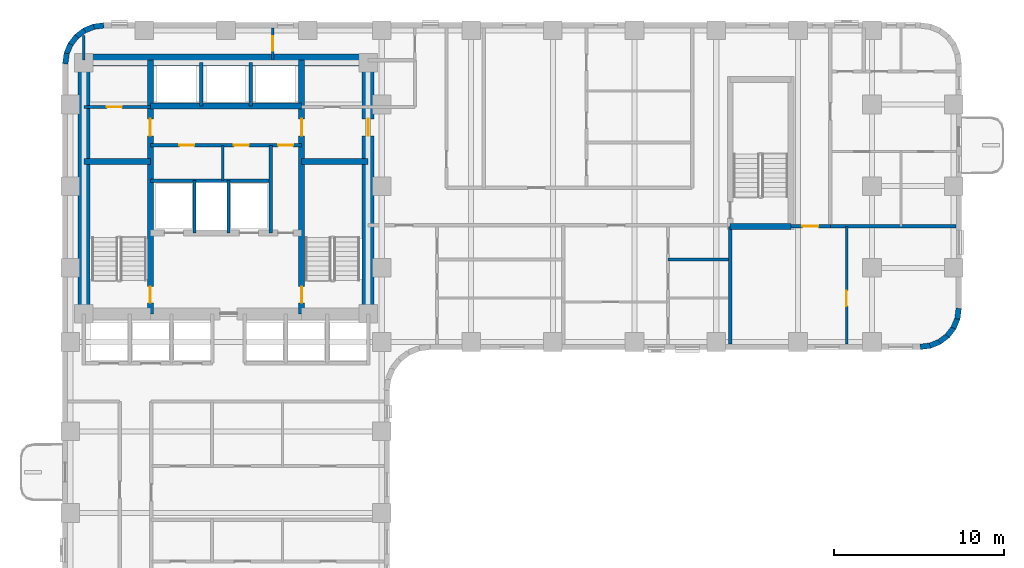
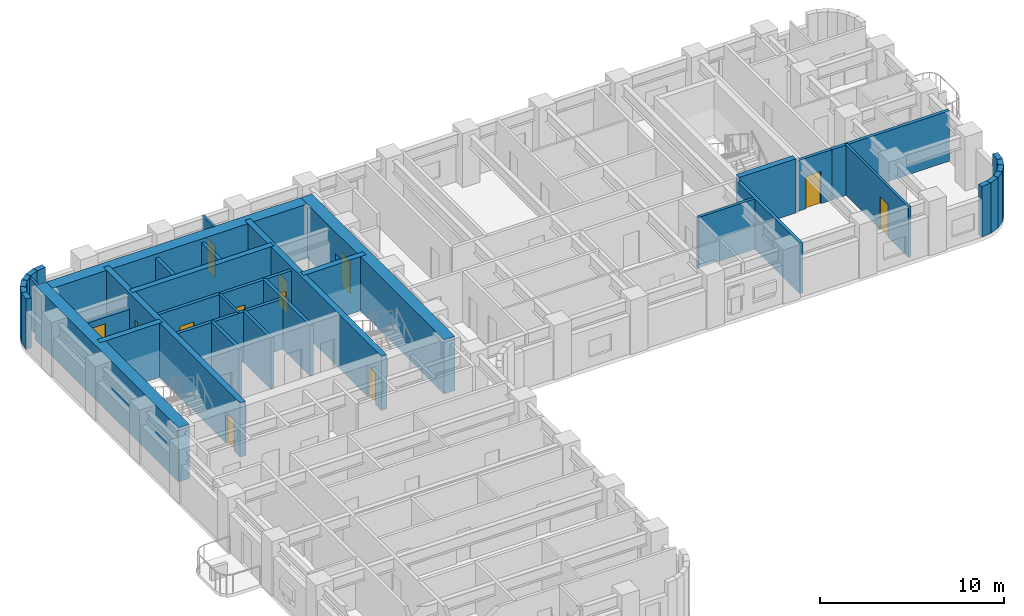
# One storey, part 5 of 10: 37 walls, 12 doors, 12 openings.
"""IFC4 building model written with IfcOpenShell, lengths in metres."""

import ifcopenshell
import ifcopenshell.guid

model = None  # the IFC model being written
_history = None  # IfcOwnerHistory: only IFC2X3 demands one
_inside = {}  # id of a spatial element -> (the spatial element, [elements in it])
_under = {}  # id of a project, library or spatial element -> (it, [spatial elements below it])
_declared = {}  # id of a project -> (the project, [libraries it declares])
_typed = {}  # id of a type object -> (the type object, [elements of that type])
_made_of = {}  # id of a material, layer set ... -> (it, [elements and type objects made of it])


def new_model(schema):
    """Start an empty IFC model of exactly this schema.

    Asked for "IFC4X3", IfcOpenShell would pick the latest addendum, in which some entities
    have other attributes; the version numbers below select the first issue.
    IFC2X3 requires an IfcOwnerHistory on every rooted entity: one is made here for all.
    """
    global model, _history
    if schema == "IFC4X3":
        model = ifcopenshell.file(schema_version=(4, 3, 0, 0))
    else:
        model = ifcopenshell.file(schema=schema)
    _inside.clear()
    _under.clear()
    _declared.clear()
    _typed.clear()
    _made_of.clear()
    _history = None
    if model.schema == "IFC2X3":
        org = make("IfcOrganization", Name="unknown")
        user = make(
            "IfcPersonAndOrganization",
            ThePerson=make("IfcPerson", FamilyName="unknown"),
            TheOrganization=org,
        )
        app = make(
            "IfcApplication",
            ApplicationDeveloper=org,
            Version="unknown",
            ApplicationFullName="unknown",
            ApplicationIdentifier="unknown",
        )
        _history = make(
            "IfcOwnerHistory",
            OwningUser=user,
            OwningApplication=app,
            ChangeAction="ADDED",
            CreationDate=0,
        )
    return model


def make(cls, **values):
    """One entity of the class cls with the attributes given. An attribute that is None is left unset."""
    return model.create_entity(
        cls, **{name: value for name, value in values.items() if value is not None}
    )


def rooted(cls, **values):
    """An entity with a GlobalId (a new one), such as an element, a storey or a relation."""
    return make(cls, GlobalId=ifcopenshell.guid.new(), OwnerHistory=_history, **values)


def si_unit(unit_type, name, prefix=None):
    """IfcSIUnit, for example si_unit("LENGTHUNIT", "METRE", prefix="MILLI")."""
    return make("IfcSIUnit", UnitType=unit_type, Prefix=prefix, Name=name)


def assignment(units):
    """IfcUnitAssignment: the units of a project."""
    return None if units is None else make("IfcUnitAssignment", Units=units)


def point(xyz):
    """IfcCartesianPoint."""
    return None if xyz is None else make("IfcCartesianPoint", Coordinates=xyz)


def direction(xyz):
    """IfcDirection."""
    return None if xyz is None else make("IfcDirection", DirectionRatios=xyz)


def frame(location, z_axis=None, x_axis=None):
    """IfcAxis2Placement3D, a coordinate frame: its origin and axes. An axis left out is left unset."""
    return make(
        "IfcAxis2Placement3D",
        Location=point(location),
        Axis=direction(z_axis),
        RefDirection=direction(x_axis),
    )


def frame_2d(location, x_axis=None):
    """IfcAxis2Placement2D, a coordinate frame in the plane: its origin and x axis."""
    return make(
        "IfcAxis2Placement2D", Location=point(location), RefDirection=direction(x_axis)
    )


def origin():
    """The frame at (0, 0, 0) with its axes left unset."""
    return frame((0.0, 0.0, 0.0))


def place(relative_to, where):
    """IfcLocalPlacement: puts the frame where relative to a parent placement (None: the world)."""
    return make(
        "IfcLocalPlacement", PlacementRelTo=relative_to, RelativePlacement=where
    )


def context(
    kind, dimensions, precision=None, world=None, true_north=None, identifier=None
):
    """IfcGeometricRepresentationContext, for example the 3D "Model" context."""
    return make(
        "IfcGeometricRepresentationContext",
        ContextIdentifier=identifier,
        ContextType=kind,
        CoordinateSpaceDimension=dimensions,
        Precision=precision,
        WorldCoordinateSystem=world,
        TrueNorth=true_north,
    )


def subcontext(parent, identifier, kind, view, scale=None):
    """IfcGeometricRepresentationSubContext, for example "Body" below "Model"."""
    return make(
        "IfcGeometricRepresentationSubContext",
        ContextIdentifier=identifier,
        ContextType=kind,
        ParentContext=parent,
        TargetScale=scale,
        TargetView=view,
    )


def project(units=None, contexts=None):
    """IfcProject with its units and contexts."""
    return rooted(
        "IfcProject",
        Name="project",
        RepresentationContexts=contexts,
        UnitsInContext=assignment(units),
    )


def spatial(cls, under=None, at=None, **own):
    """A site, building, storey or space (cls), placed at a placement, below another one or the project."""
    s = rooted(cls, ObjectPlacement=at, **own)
    if under is not None:
        _under.setdefault(under.id(), (under, []))[1].append(s)
    return s


def profile(cls, at=None, kind="AREA", **sizes):
    """A parametric profile (cls). Its sizes go by their IFC names, for example OverallWidth=200.0."""
    return make(cls, ProfileType=kind, Position=at, **sizes)


def rectangle(**sizes):
    """IfcRectangleProfileDef."""
    return profile("IfcRectangleProfileDef", **sizes)


def extrude(swept, where, along, depth):
    """IfcExtrudedAreaSolid: the profile swept, set in the frame where, extruded along a direction by depth."""
    return make(
        "IfcExtrudedAreaSolid",
        SweptArea=swept,
        Position=where,
        ExtrudedDirection=direction(along),
        Depth=depth,
    )


def shape(context_of_items, identifier, shape_type, items):
    """IfcShapeRepresentation: the items that make up one representation, for example the "Body"."""
    return make(
        "IfcShapeRepresentation",
        ContextOfItems=context_of_items,
        RepresentationIdentifier=identifier,
        RepresentationType=shape_type,
        Items=items,
    )


def material(Name=None, Category=None):
    """IfcMaterial."""
    return make("IfcMaterial", Name=Name, Category=Category)


def layer(
    of_material, thickness, ventilated=None, Name=None, Category=None, Priority=None
):
    """IfcMaterialLayer: one layer of a wall or slab, of a material (None: an air gap)."""
    return make(
        "IfcMaterialLayer",
        Material=of_material,
        LayerThickness=thickness,
        IsVentilated=ventilated,
        Name=Name,
        Category=Category,
        Priority=Priority,
    )


def layer_set(layers, Name=None):
    """IfcMaterialLayerSet."""
    return make("IfcMaterialLayerSet", MaterialLayers=layers, LayerSetName=Name)


def made_of(thing, what):
    """Note that an element or type object is made of a material, layer set ...; save() writes the relation."""
    if what is not None:
        _made_of.setdefault(what.id(), (what, []))[1].append(thing)
    return thing


def type_object(cls, material=None, **own):
    """A type object (cls), such as IfcWallType, which elements share."""
    return made_of(rooted(cls, **own), material)


def element(
    cls,
    number,
    at=None,
    inside=None,
    cuts=None,
    type_object=None,
    material=None,
    context=None,
    identifier="Body",
    shape_type=None,
    held_by="IfcProductDefinitionShape",
    body=None,
    shapes=None,
    **own,
):
    """One element of the class cls, such as IfcWall. Its Tag is "e" and its number.

    at: its placement. inside: the storey or other place that contains it. cuts: it is an
    opening in that element (IfcRelVoidsElement). A single representation is given by context,
    identifier, shape_type and body (its items); several are given by shapes. held_by: the class
    of the entity that holds the representations. save() writes the other relations.
    """
    e = rooted(cls, Tag="e%d" % number, ObjectPlacement=at, **own)
    if body is not None:
        shapes = [shape(context, identifier, shape_type, body)]
    if shapes is not None:
        e.Representation = make(held_by, Representations=shapes)
    if inside is not None:
        _inside.setdefault(inside.id(), (inside, []))[1].append(e)
    if cuts is not None:
        rooted(
            "IfcRelVoidsElement", RelatingBuildingElement=cuts, RelatedOpeningElement=e
        )
    if type_object is not None:
        _typed.setdefault(type_object.id(), (type_object, []))[1].append(e)
    return made_of(e, material)


def fill(opening, filler):
    """IfcRelFillsElement: the door or window that sits in an opening."""
    return rooted(
        "IfcRelFillsElement",
        RelatingOpeningElement=opening,
        RelatedBuildingElement=filler,
    )


def aggregate(whole, parts):
    """IfcRelAggregates: a whole, such as a stair, and the parts it consists of."""
    return rooted("IfcRelAggregates", RelatingObject=whole, RelatedObjects=parts)


def save(model, path):
    """Write the relations noted so far, then the file.

    IfcRelAggregates (storeys below a building ...), IfcRelContainedInSpatialStructure (elements
    in a storey), IfcRelDefinesByType, IfcRelAssociatesMaterial and IfcRelDeclares: one each for
    every whole, place, type object, material and project.
    """
    for whole, parts in _under.values():
        aggregate(whole, parts)
    for where, things in _inside.values():
        rooted(
            "IfcRelContainedInSpatialStructure",
            RelatedElements=things,
            RelatingStructure=where,
        )
    for kind, things in _typed.values():
        rooted("IfcRelDefinesByType", RelatedObjects=things, RelatingType=kind)
    for what, things in _made_of.values():
        rooted("IfcRelAssociatesMaterial", RelatedObjects=things, RelatingMaterial=what)
    for by, libraries in _declared.values():
        rooted("IfcRelDeclares", RelatingContext=by, RelatedDefinitions=libraries)
    model.write(path)


model = new_model("IFC4")

# Units and contexts
model_context = context("Model", 3, precision=1e-05, world=origin(), true_north=direction((0.0, 1.0)))
body_context = subcontext(model_context, "Body", "Model", "MODEL_VIEW")
ifc_project = project(units=[si_unit("LENGTHUNIT", "METRE"), si_unit("AREAUNIT", "SQUARE_METRE"), si_unit("VOLUMEUNIT", "CUBIC_METRE"), si_unit("PLANEANGLEUNIT", "RADIAN"), si_unit("MASSUNIT", "GRAM", prefix="KILO")], contexts=[model_context])

# Site, building, storey
site_placement = place(None, origin())
site = spatial("IfcSite", under=ifc_project, at=site_placement, CompositionType="ELEMENT")
building_placement = place(site_placement, origin())
building = spatial("IfcBuilding", under=site, at=building_placement, Name="Orvandelia Arch Residences", CompositionType="ELEMENT")
storey_placement = place(building_placement, frame((0.0, 0.0, 68.199951171875)))
storey = spatial("IfcBuildingStorey", under=building, at=storey_placement, Name="L17", CompositionType="ELEMENT", Elevation=68.199951171875)

# Wall, openings, doors
ifc_material_1 = material(Name="Concrete C50/60", Category="concrete")
ifc_layer_1 = layer(ifc_material_1, 0.35009765625, Name="Concrete C50/60", Category="concrete")
ifc_layer_set_1 = layer_set([ifc_layer_1], Name="Concrete C50/60")
wall_type_1 = type_object("IfcWallType", Name="WL-CORE-350", PredefinedType="SHEAR", material=ifc_layer_set_1)
wall_1_placement = place(storey_placement, frame((9.9599609375, 30.89990234375, 0.0), z_axis=(0.0, 0.0, 1.0), x_axis=(0.0, 1.0, 0.0)))
wall_1 = element("IfcWall", 1, at=wall_1_placement, inside=storey, type_object=wall_type_1, Name="Core Shear Wall L17-WEB1", PredefinedType="SHEAR", context=body_context, shape_type="SweptSolid", body=[
    extrude(rectangle(XDim=14.900146484375, YDim=0.35009765625, at=frame_2d((7.4501953125, 0.0))), origin(), (0.0, 0.0, 1.0), 3.60009765625),
])
opening_1_placement = place(wall_1_placement, frame((0.64990234375, 0.0, 0.0)))
opening_1 = element("IfcOpeningElement", 2, at=opening_1_placement, cuts=wall_1, Name="Opening D7", PredefinedType="OPENING", context=body_context, shape_type="SweptSolid", body=[
    extrude(rectangle(XDim=0.949951171875, YDim=2.10009765625, at=frame_2d((0.47509765625, 1.050048828125))), frame((0.0, 0.18505859375, 0.0), z_axis=(0.0, -1.0, 0.0), x_axis=(1.0, 0.0, 0.0)), (0.0, 0.0, 1.0), 0.3701171875),
])
opening_2_placement = place(wall_1_placement, frame((10.449951171875, 0.0, 0.0)))
opening_2 = element("IfcOpeningElement", 3, at=opening_2_placement, cuts=wall_1, Name="Opening D6", PredefinedType="OPENING", context=body_context, shape_type="SweptSolid", body=[
    extrude(rectangle(XDim=1.0, YDim=2.14990234375, at=frame_2d((0.5, 1.074951171875))), frame((0.0, 0.18505859375, 0.0), z_axis=(0.0, -1.0, 0.0), x_axis=(1.0, 0.0, 0.0)), (0.0, 0.0, 1.0), 0.3701171875),
])
ifc_material_2 = material(Name="Smokeproof Painted Steel Fire Door", Category="steel")
door_type_1 = type_object("IfcDoorType", Name="DR-FD60-1000", OperationType="NOTDEFINED", PredefinedType="DOOR", material=ifc_material_2)
door_1_placement = place(opening_2_placement, origin())
door_1 = element("IfcDoor", 4, at=door_1_placement, inside=storey, type_object=door_type_1, Name="High-Rise Lift Hall West Vestibule Door L17", OperationType="SINGLE_SWING_LEFT", OverallHeight=2.14990234375, OverallWidth=1.0, PredefinedType="DOOR", context=body_context, shape_type="SweptSolid", body=[
    extrude(rectangle(XDim=1.0, YDim=2.14990234375, at=frame_2d((0.5, 1.074951171875))), frame((0.0, 0.02490234375, 0.0), z_axis=(0.0, -1.0, 0.0), x_axis=(1.0, 0.0, 0.0)), (0.0, 0.0, 1.0), 0.050048828125),
])
fill(opening_2, door_1)
ifc_material_3 = material(Name="Pressurised Stairwell Fire Door")
door_type_2 = type_object("IfcDoorType", Name="DR-STAIR-950", OperationType="NOTDEFINED", PredefinedType="DOOR", material=ifc_material_3)
door_2_placement = place(opening_1_placement, origin())
door_2 = element("IfcDoor", 5, at=door_2_placement, inside=storey, type_object=door_type_2, Name="Stairwell ST-1 Fire Door L17", OperationType="SINGLE_SWING_LEFT", OverallHeight=2.10009765625, OverallWidth=0.949951171875, PredefinedType="DOOR", context=body_context, shape_type="SweptSolid", body=[
    extrude(rectangle(XDim=0.949951171875, YDim=2.10009765625, at=frame_2d((0.47509765625, 1.050048828125))), frame((0.0, 0.02490234375, 0.0), z_axis=(0.0, -1.0, 0.0), x_axis=(1.0, 0.0, 0.0)), (0.0, 0.0, 1.0), 0.050048828125),
])
fill(opening_1, door_2)

wall_2_placement = place(storey_placement, frame((18.840087890625, 30.89990234375, 0.0), z_axis=(0.0, 0.0, 1.0), x_axis=(0.0, 1.0, 0.0)))
wall_2 = element("IfcWall", 6, at=wall_2_placement, inside=storey, type_object=wall_type_1, Name="Core Shear Wall L17-WEB2", PredefinedType="SHEAR", context=body_context, shape_type="SweptSolid", body=[
    extrude(rectangle(XDim=14.900146484375, YDim=0.35009765625, at=frame_2d((7.4501953125, 0.0))), origin(), (0.0, 0.0, 1.0), 3.60009765625),
])
opening_3_placement = place(wall_2_placement, frame((0.64990234375, 0.0, 0.0)))
opening_3 = element("IfcOpeningElement", 7, at=opening_3_placement, cuts=wall_2, Name="Opening D7", PredefinedType="OPENING", context=body_context, shape_type="SweptSolid", body=[
    extrude(rectangle(XDim=0.949951171875, YDim=2.10009765625, at=frame_2d((0.47509765625, 1.050048828125))), frame((0.0, 0.18505859375, 0.0), z_axis=(0.0, -1.0, 0.0), x_axis=(1.0, 0.0, 0.0)), (0.0, 0.0, 1.0), 0.3701171875),
])
opening_4_placement = place(wall_2_placement, frame((10.449951171875, 0.0, 0.0)))
opening_4 = element("IfcOpeningElement", 8, at=opening_4_placement, cuts=wall_2, Name="Opening D6", PredefinedType="OPENING", context=body_context, shape_type="SweptSolid", body=[
    extrude(rectangle(XDim=1.0, YDim=2.14990234375, at=frame_2d((0.5, 1.074951171875))), frame((0.0, 0.18505859375, 0.0), z_axis=(0.0, -1.0, 0.0), x_axis=(1.0, 0.0, 0.0)), (0.0, 0.0, 1.0), 0.3701171875),
])
door_3_placement = place(opening_4_placement, origin())
door_3 = element("IfcDoor", 9, at=door_3_placement, inside=storey, type_object=door_type_1, Name="High-Rise Lift Hall East Vestibule Door L17", OperationType="SINGLE_SWING_RIGHT", OverallHeight=2.14990234375, OverallWidth=1.0, PredefinedType="DOOR", context=body_context, shape_type="SweptSolid", body=[
    extrude(rectangle(XDim=1.0, YDim=2.14990234375, at=frame_2d((0.5, 1.074951171875))), frame((0.0, 0.02490234375, 0.0), z_axis=(0.0, -1.0, 0.0), x_axis=(1.0, 0.0, 0.0)), (0.0, 0.0, 1.0), 0.050048828125),
])
fill(opening_4, door_3)
door_4_placement = place(opening_3_placement, origin())
door_4 = element("IfcDoor", 10, at=door_4_placement, inside=storey, type_object=door_type_2, Name="Stairwell ST-2 Fire Door L17", OperationType="SINGLE_SWING_RIGHT", OverallHeight=2.10009765625, OverallWidth=0.949951171875, PredefinedType="DOOR", context=body_context, shape_type="SweptSolid", body=[
    extrude(rectangle(XDim=0.949951171875, YDim=2.10009765625, at=frame_2d((0.47509765625, 1.050048828125))), frame((0.0, 0.02490234375, 0.0), z_axis=(0.0, -1.0, 0.0), x_axis=(1.0, 0.0, 0.0)), (0.0, 0.0, 1.0), 0.050048828125),
])
fill(opening_3, door_4)

# Walls
for number, where, z_axis, x_axis, name in (
    (11, (6.050048828125, 39.85009765625, 0.0), (0.0, 0.0, 1.0), (1.0, 0.0, 0.0), "Core Shear Wall L17-HZ1"),
    (12, (18.840087890625, 39.85009765625, 0.0), (0.0, 0.0, 1.0), (1.0, 0.0, 0.0), "Core Shear Wall L17-HZ2"),
):
    element("IfcWall", number, at=place(storey_placement, frame(where, z_axis=z_axis, x_axis=x_axis)), inside=storey, type_object=wall_type_1, Name=name, PredefinedType="SHEAR", context=body_context, shape_type="SweptSolid", body=[
        extrude(rectangle(XDim=3.909912109375, YDim=0.35009765625, at=frame_2d((1.955078125, 0.0))), origin(), (0.0, 0.0, 1.0), 3.60009765625),
    ])
wall_3_placement = place(storey_placement, frame((9.9599609375, 43.10009765625, 0.0), z_axis=(0.0, 0.0, 1.0), x_axis=(1.0, 0.0, 0.0)))
element("IfcWall", 13, at=wall_3_placement, inside=storey, type_object=wall_type_1, Name="Core Shear Wall L17-HZ4", PredefinedType="SHEAR", context=body_context, shape_type="SweptSolid", body=[
    extrude(rectangle(XDim=8.880126953125, YDim=0.35009765625, at=frame_2d((4.43994140625, 0.0))), origin(), (0.0, 0.0, 1.0), 3.60009765625),
])
wall_4_placement = place(storey_placement, frame((44.02001953125, 36.0400390625, 0.0), z_axis=(0.0, 0.0, 1.0), x_axis=(1.0, 0.0, 0.0)))
element("IfcWall", 14, at=wall_4_placement, inside=storey, type_object=wall_type_1, Name="East Stair Core Shear Wall L17-S", PredefinedType="SHEAR", context=body_context, shape_type="SweptSolid", body=[
    extrude(rectangle(XDim=3.580078125, YDim=0.35009765625, at=frame_2d((1.7900390625, 0.0))), origin(), (0.0, 0.0, 1.0), 3.60009765625),
])
ifc_material_4 = material(Name="Concrete C80/95", Category="concrete")
ifc_layer_2 = layer(ifc_material_4, 0.699951171875, Name="Concrete C80/95", Category="concrete")
ifc_layer_set_2 = layer_set([ifc_layer_2], Name="Concrete C80/95")
wall_type_2 = type_object("IfcWallType", Name="WL-CORE-700", PredefinedType="SHEAR", material=ifc_layer_set_2)
wall_5_placement = place(storey_placement, frame((6.050048828125, 30.550048828125, 0.0), z_axis=(0.0, 0.0, 1.0), x_axis=(0.0, 1.0, 0.0)))
element("IfcWall", 15, at=wall_5_placement, inside=storey, type_object=wall_type_2, Name="Core Shear Wall L17-W", PredefinedType="SHEAR", context=body_context, shape_type="SweptSolid", body=[
    extrude(rectangle(XDim=15.599853515625, YDim=0.699951171875, at=frame_2d((7.7998046875, 0.0))), origin(), (0.0, 0.0, 1.0), 3.60009765625),
])

# Wall, opening, door
wall_6_placement = place(storey_placement, frame((22.75, 30.550048828125, 0.0), z_axis=(0.0, 0.0, 1.0), x_axis=(0.0, 1.0, 0.0)))
wall_6 = element("IfcWall", 16, at=wall_6_placement, inside=storey, type_object=wall_type_2, Name="Core Shear Wall L17-E", PredefinedType="SHEAR", context=body_context, shape_type="SweptSolid", body=[
    extrude(rectangle(XDim=15.599853515625, YDim=0.699951171875, at=frame_2d((7.7998046875, 0.0))), origin(), (0.0, 0.0, 1.0), 3.60009765625),
])
opening_5_placement = place(wall_6_placement, frame((10.800048828125, 0.0, 0.0)))
opening_5 = element("IfcOpeningElement", 17, at=opening_5_placement, cuts=wall_6, Name="Opening D6", PredefinedType="OPENING", context=body_context, shape_type="SweptSolid", body=[
    extrude(rectangle(XDim=1.0, YDim=2.14990234375, at=frame_2d((0.5, 1.074951171875))), frame((0.0, 0.35986328125, 0.0), z_axis=(0.0, -1.0, 0.0), x_axis=(1.0, 0.0, 0.0)), (0.0, 0.0, 1.0), 0.719970703125),
])
door_5_placement = place(opening_5_placement, origin())
door_5 = element("IfcDoor", 18, at=door_5_placement, inside=storey, type_object=door_type_1, Name="Core East Corridor Link Door L17", OperationType="SINGLE_SWING_LEFT", OverallHeight=2.14990234375, OverallWidth=1.0, PredefinedType="DOOR", context=body_context, shape_type="SweptSolid", body=[
    extrude(rectangle(XDim=1.0, YDim=2.14990234375, at=frame_2d((0.5, 1.074951171875))), frame((0.0, 0.02490234375, 0.0), z_axis=(0.0, -1.0, 0.0), x_axis=(1.0, 0.0, 0.0)), (0.0, 0.0, 1.0), 0.050048828125),
])
fill(opening_5, door_5)

# Wall
wall_7_placement = place(storey_placement, frame((6.050048828125, 45.800048828125, 0.0), z_axis=(0.0, 0.0, 1.0), x_axis=(1.0, 0.0, 0.0)))
element("IfcWall", 19, at=wall_7_placement, inside=storey, type_object=wall_type_2, Name="Core Shear Wall L17-N", PredefinedType="SHEAR", context=body_context, shape_type="SweptSolid", body=[
    extrude(rectangle(XDim=16.699951171875, YDim=0.699951171875, at=frame_2d((8.35009765625, 0.0))), origin(), (0.0, 0.0, 1.0), 3.60009765625),
])

# Wall, opening, door
ifc_material_5 = material(Name="Fire-Rated Corridor Partition")
ifc_layer_3 = layer(ifc_material_5, 0.199951171875, Name="Fire-Rated Corridor Partition")
ifc_layer_set_3 = layer_set([ifc_layer_3], Name="Fire-Rated Corridor Partition")
wall_type_3 = type_object("IfcWallType", Name="WL-CORR-200", PredefinedType="PARTITIONING", material=ifc_layer_set_3)
wall_8_placement = place(storey_placement, frame((47.60009765625, 36.0400390625, 0.0), z_axis=(0.0, 0.0, 1.0), x_axis=(1.0, 0.0, 0.0)))
wall_8 = element("IfcWall", 20, at=wall_8_placement, inside=storey, type_object=wall_type_3, Name="Interior Partition Wall WL-L17-ETE-S", PredefinedType="PARTITIONING", context=body_context, shape_type="SweptSolid", body=[
    extrude(rectangle(XDim=2.2998046875, YDim=0.199951171875, at=frame_2d((1.14990234375, 0.0))), origin(), (0.0, 0.0, 1.0), 3.35009765625),
])
opening_6_placement = place(wall_8_placement, frame((0.64990234375, 0.0, 0.0)))
opening_6 = element("IfcOpeningElement", 21, at=opening_6_placement, cuts=wall_8, Name="Opening D2", PredefinedType="OPENING", context=body_context, shape_type="SweptSolid", body=[
    extrude(rectangle(XDim=0.949951171875, YDim=2.14990234375, at=frame_2d((0.47509765625, 1.074951171875))), frame((0.0, 0.10986328125, 0.0), z_axis=(0.0, -1.0, 0.0), x_axis=(1.0, 0.0, 0.0)), (0.0, 0.0, 1.0), 0.219970703125),
])
ifc_material_6 = material(Name="Solid-Core Timber Interior Fire Door", Category="wood")
door_type_3 = type_object("IfcDoorType", Name="DR-APT-950", OperationType="NOTDEFINED", PredefinedType="DOOR", material=ifc_material_6)
door_6_placement = place(opening_6_placement, origin())
door_6 = element("IfcDoor", 22, at=door_6_placement, inside=storey, type_object=door_type_3, Name="DR-L17-EMS3", OperationType="SINGLE_SWING_LEFT", OverallHeight=2.14990234375, OverallWidth=0.949951171875, PredefinedType="DOOR", context=body_context, shape_type="SweptSolid", body=[
    extrude(rectangle(XDim=0.949951171875, YDim=2.14990234375, at=frame_2d((0.47509765625, 1.074951171875))), frame((0.0, 0.02490234375, 0.0), z_axis=(0.0, -1.0, 0.0), x_axis=(1.0, 0.0, 0.0)), (0.0, 0.0, 1.0), 0.050048828125),
])
fill(opening_6, door_6)

# Walls
ifc_material_7 = material(Name="Concrete C40/50", Category="concrete")
ifc_layer_4 = layer(ifc_material_7, 0.199951171875, Name="Concrete C40/50", Category="concrete")
ifc_layer_set_4 = layer_set([ifc_layer_4], Name="Concrete C40/50")
wall_type_4 = type_object("IfcWallType", Name="WL-DEM-200", PredefinedType="SOLIDWALL", material=ifc_layer_set_4)
wall_9_placement = place(storey_placement, frame((44.02001953125, 29.1201171875, 0.0), z_axis=(0.0, 0.0, 1.0), x_axis=(0.0, 1.0, 0.0)))
element("IfcWall", 23, at=wall_9_placement, inside=storey, type_object=wall_type_4, Name="Interior Partition Wall WL-L17-EMS3-W", PredefinedType="SOLIDWALL", context=body_context, shape_type="SweptSolid", body=[
    extrude(rectangle(XDim=6.919921875, YDim=0.199951171875, at=frame_2d((3.4599609375, 0.0))), origin(), (0.0, 0.0, 1.0), 3.35009765625),
])
wall_10_placement = place(storey_placement, frame((49.89990234375, 36.0400390625, 0.0), z_axis=(0.0, 0.0, 1.0), x_axis=(1.0, 0.0, 0.0)))
element("IfcWall", 24, at=wall_10_placement, inside=storey, type_object=wall_type_4, Name="Interior Partition Wall WL-L17-EMS3-N2", PredefinedType="SOLIDWALL", context=body_context, shape_type="SweptSolid", body=[
    extrude(rectangle(XDim=7.380126953125, YDim=0.199951171875, at=frame_2d((3.68994140625, 0.0))), origin(), (0.0, 0.0, 1.0), 3.35009765625),
])
ifc_material_8 = material(Name="Precast concrete C40/50", Category="concrete")
ifc_layer_5 = layer(ifc_material_8, 0.320068359375, Name="Precast concrete C40/50", Category="concrete")
ifc_layer_set_5 = layer_set([ifc_layer_5], Name="Precast concrete C40/50")
wall_type_5 = type_object("IfcWallType", Name="WL-EXT-STONE-320", PredefinedType="STANDARD", material=ifc_layer_set_5)
for number, where, z_axis, x_axis, name in (
    (25, (4.95849609375, 45.5791015625, 0.0), (0.0, 0.0, 1.0), (0.130555323746, 0.9914410257, 0.0), "Coral-Limestone Precast Facade Wall L17-001"),
    (26, (5.029541015625, 46.159912109375, 0.0), (0.0, 0.0, 1.0), (0.382650053678, 0.92389335771, 0.0), "Coral-Limestone Precast Facade Wall L17-002"),
):
    element("IfcWall", number, at=place(storey_placement, frame(where, z_axis=z_axis, x_axis=x_axis)), inside=storey, type_object=wall_type_5, Name=name, PredefinedType="STANDARD", context=body_context, shape_type="SweptSolid", body=[
        extrude(rectangle(XDim=0.62646484375, YDim=0.320068359375, at=frame_2d((0.313232421875, 0.0))), origin(), (0.0, 0.0, 1.0), 3.35009765625),
    ])
wall_11_placement = place(storey_placement, frame((5.248291015625, 46.70263671875, 0.0), z_axis=(0.0, 0.0, 1.0), x_axis=(0.608938521285, 0.7932174212, 0.0)))
element("IfcWall", 27, at=wall_11_placement, inside=storey, type_object=wall_type_5, Name="Coral-Limestone Precast Facade Wall L17-003", PredefinedType="STANDARD", context=body_context, shape_type="SweptSolid", body=[
    extrude(rectangle(XDim=0.626708984375, YDim=0.320068359375, at=frame_2d((0.3134765625, 0.0))), origin(), (0.0, 0.0, 1.0), 3.35009765625),
])
wall_12_placement = place(storey_placement, frame((5.600341796875, 47.170166015625, 0.0), z_axis=(0.0, 0.0, 1.0), x_axis=(0.793405610854, 0.608693302629, 0.0)))
element("IfcWall", 28, at=wall_12_placement, inside=storey, type_object=wall_type_5, Name="Coral-Limestone Precast Facade Wall L17-004", PredefinedType="STANDARD", context=body_context, shape_type="SweptSolid", body=[
    extrude(rectangle(XDim=0.62646484375, YDim=0.320068359375, at=frame_2d((0.313232421875, 0.0))), origin(), (0.0, 0.0, 1.0), 3.35009765625),
])
wall_13_placement = place(storey_placement, frame((6.061279296875, 47.53076171875, 0.0), z_axis=(0.0, 0.0, 1.0), x_axis=(0.923836271867, 0.382787856107, 0.0)))
element("IfcWall", 29, at=wall_13_placement, inside=storey, type_object=wall_type_5, Name="Coral-Limestone Precast Facade Wall L17-005", PredefinedType="STANDARD", context=body_context, shape_type="SweptSolid", body=[
    extrude(rectangle(XDim=0.626220703125, YDim=0.320068359375, at=frame_2d((0.31298828125, 0.0))), origin(), (0.0, 0.0, 1.0), 3.35009765625),
])
for number, where, z_axis, x_axis, name in (
    (30, (6.599609375, 47.759521484375, 0.0), (0.0, 0.0, 1.0), (0.991447664465, 0.130504898859, 0.0), "Coral-Limestone Precast Facade Wall L17-006"),
    (31, (57.44140625, 31.220947265625, 0.0), (0.0, 0.0, 1.0), (-0.130504898859, -0.991447664465, 0.0), "Coral-Limestone Precast Facade Wall L17-015"),
):
    element("IfcWall", number, at=place(storey_placement, frame(where, z_axis=z_axis, x_axis=x_axis)), inside=storey, type_object=wall_type_5, Name=name, PredefinedType="STANDARD", context=body_context, shape_type="SweptSolid", body=[
        extrude(rectangle(XDim=0.626708984375, YDim=0.320068359375, at=frame_2d((0.3134765625, 0.0))), origin(), (0.0, 0.0, 1.0), 3.35009765625),
    ])
wall_14_placement = place(storey_placement, frame((57.370361328125, 30.639892578125, 0.0), z_axis=(0.0, 0.0, 1.0), x_axis=(-0.382787856107, -0.923836271867, 0.0)))
element("IfcWall", 32, at=wall_14_placement, inside=storey, type_object=wall_type_5, Name="Coral-Limestone Precast Facade Wall L17-016", PredefinedType="STANDARD", context=body_context, shape_type="SweptSolid", body=[
    extrude(rectangle(XDim=0.626220703125, YDim=0.320068359375, at=frame_2d((0.31298828125, 0.0))), origin(), (0.0, 0.0, 1.0), 3.35009765625),
])
wall_15_placement = place(storey_placement, frame((57.151611328125, 30.097412109375, 0.0), z_axis=(0.0, 0.0, 1.0), x_axis=(-0.608693302629, -0.793405610854, 0.0)))
element("IfcWall", 33, at=wall_15_placement, inside=storey, type_object=wall_type_5, Name="Coral-Limestone Precast Facade Wall L17-017", PredefinedType="STANDARD", context=body_context, shape_type="SweptSolid", body=[
    extrude(rectangle(XDim=0.62646484375, YDim=0.320068359375, at=frame_2d((0.313232421875, 0.0))), origin(), (0.0, 0.0, 1.0), 3.35009765625),
])
wall_16_placement = place(storey_placement, frame((56.7998046875, 29.6298828125, 0.0), z_axis=(0.0, 0.0, 1.0), x_axis=(-0.793361818833, -0.608750379399, 0.0)))
element("IfcWall", 34, at=wall_16_placement, inside=storey, type_object=wall_type_5, Name="Coral-Limestone Precast Facade Wall L17-018", PredefinedType="STANDARD", context=body_context, shape_type="SweptSolid", body=[
    extrude(rectangle(XDim=0.626953125, YDim=0.320068359375, at=frame_2d((0.3134765625, 0.0))), origin(), (0.0, 0.0, 1.0), 3.35009765625),
])
for number, where, z_axis, x_axis, name in (
    (35, (56.3388671875, 29.269287109375, 0.0), (0.0, 0.0, 1.0), (-0.92389335771, -0.382650053678, 0.0), "Coral-Limestone Precast Facade Wall L17-019"),
    (36, (55.80029296875, 29.040283203125, 0.0), (0.0, 0.0, 1.0), (-0.9914410257, -0.130555323746, 0.0), "Coral-Limestone Precast Facade Wall L17-020"),
):
    element("IfcWall", number, at=place(storey_placement, frame(where, z_axis=z_axis, x_axis=x_axis)), inside=storey, type_object=wall_type_5, Name=name, PredefinedType="STANDARD", context=body_context, shape_type="SweptSolid", body=[
        extrude(rectangle(XDim=0.62646484375, YDim=0.320068359375, at=frame_2d((0.313232421875, 0.0))), origin(), (0.0, 0.0, 1.0), 3.35009765625),
    ])
ifc_material_9 = material(Name="Acoustic Gypsum Stud Partition")
ifc_layer_6 = layer(ifc_material_9, 0.14990234375, Name="Acoustic Gypsum Stud Partition")
ifc_layer_set_6 = layer_set([ifc_layer_6], Name="Acoustic Gypsum Stud Partition")
wall_type_6 = type_object("IfcWallType", Name="WL-PART-150", PredefinedType="PARTITIONING", material=ifc_layer_set_6)
wall_17_placement = place(storey_placement, frame((14.199951171875, 38.719970703125, 0.0), z_axis=(0.0, 0.0, 1.0), x_axis=(0.0, 1.0, 0.0)))
element("IfcWall", 37, at=wall_17_placement, inside=storey, type_object=wall_type_6, Name="Interior Partition Wall WL-L17-CSA-1", PredefinedType="PARTITIONING", context=body_context, shape_type="SweptSolid", body=[
    extrude(rectangle(XDim=2.080078125, YDim=0.14990234375, at=frame_2d((1.0400390625, 0.0))), origin(), (0.0, 0.0, 1.0), 3.35009765625),
])
wall_18_placement = place(storey_placement, frame((6.050048828125, 45.800048828125, 0.0), z_axis=(0.0, 0.0, 1.0), x_axis=(0.0, 1.0, 0.0)))
element("IfcWall", 38, at=wall_18_placement, inside=storey, type_object=wall_type_6, Name="Interior Partition Wall WL-L17-NC-W6", PredefinedType="PARTITIONING", context=body_context, shape_type="SweptSolid", body=[
    extrude(rectangle(XDim=1.4599609375, YDim=0.14990234375, at=frame_2d((0.72998046875, 0.0))), origin(), (0.0, 0.0, 1.0), 3.35009765625),
])

# Wall, opening, door
wall_19_placement = place(storey_placement, frame((17.14990234375, 45.800048828125, 0.0), z_axis=(0.0, 0.0, 1.0), x_axis=(0.0, 1.0, 0.0)))
wall_19 = element("IfcWall", 39, at=wall_19_placement, inside=storey, type_object=wall_type_6, Name="Interior Partition Wall WL-L17-NC-M", PredefinedType="PARTITIONING", context=body_context, shape_type="SweptSolid", body=[
    extrude(rectangle(XDim=1.8798828125, YDim=0.14990234375, at=frame_2d((0.93994140625, 0.0))), origin(), (0.0, 0.0, 1.0), 3.35009765625),
])
opening_7_placement = place(wall_19_placement, frame((0.550048828125, 0.0, 0.0)))
opening_7 = element("IfcOpeningElement", 40, at=opening_7_placement, cuts=wall_19, Name="Opening D4", PredefinedType="OPENING", context=body_context, shape_type="SweptSolid", body=[
    extrude(rectangle(XDim=0.860107421875, YDim=2.10009765625, at=frame_2d((0.43017578125, 1.050048828125))), frame((0.0, 0.0849609375, 0.0), z_axis=(0.0, -1.0, 0.0), x_axis=(1.0, 0.0, 0.0)), (0.0, 0.0, 1.0), 0.169921875),
])
ifc_material_10 = material(Name="Moisture-Sealed Timber Bathroom Door", Category="wood")
door_type_4 = type_object("IfcDoorType", Name="DR-WET-900", OperationType="NOTDEFINED", PredefinedType="DOOR", material=ifc_material_10)
door_7_placement = place(opening_7_placement, origin())
door_7 = element("IfcDoor", 41, at=door_7_placement, inside=storey, type_object=door_type_4, Name="DR-L17-NCS1", OperationType="SINGLE_SWING_LEFT", OverallHeight=2.10009765625, OverallWidth=0.860107421875, PredefinedType="DOOR", context=body_context, shape_type="SweptSolid", body=[
    extrude(rectangle(XDim=0.860107421875, YDim=2.10009765625, at=frame_2d((0.43017578125, 1.050048828125))), frame((0.0, 0.02490234375, 0.0), z_axis=(0.0, -1.0, 0.0), x_axis=(1.0, 0.0, 0.0)), (0.0, 0.0, 1.0), 0.050048828125),
])
fill(opening_7, door_7)

wall_20_placement = place(storey_placement, frame((50.85009765625, 29.1201171875, 0.0), z_axis=(0.0, 0.0, 1.0), x_axis=(0.0, 1.0, 0.0)))
wall_20 = element("IfcWall", 42, at=wall_20_placement, inside=storey, type_object=wall_type_6, Name="Interior Partition Wall WL-L17-EMS3-M", PredefinedType="PARTITIONING", context=body_context, shape_type="SweptSolid", body=[
    extrude(rectangle(XDim=6.919921875, YDim=0.14990234375, at=frame_2d((3.4599609375, 0.0))), origin(), (0.0, 0.0, 1.0), 3.35009765625),
])
opening_8_placement = place(wall_20_placement, frame((2.239990234375, 0.0, 0.0)))
opening_8 = element("IfcOpeningElement", 43, at=opening_8_placement, cuts=wall_20, Name="Opening D3", PredefinedType="OPENING", context=body_context, shape_type="SweptSolid", body=[
    extrude(rectangle(XDim=0.89990234375, YDim=2.14990234375, at=frame_2d((0.449951171875, 1.074951171875))), frame((0.0, 0.0849609375, 0.0), z_axis=(0.0, -1.0, 0.0), x_axis=(1.0, 0.0, 0.0)), (0.0, 0.0, 1.0), 0.169921875),
])
ifc_material_11 = material(Name="Engineered Timber Flush Door", Category="wood")
door_type_5 = type_object("IfcDoorType", Name="DR-INT-900", OperationType="NOTDEFINED", PredefinedType="DOOR", material=ifc_material_11)
door_8_placement = place(opening_8_placement, origin())
door_8 = element("IfcDoor", 44, at=door_8_placement, inside=storey, type_object=door_type_5, Name="DR-L17-EMS3M", OperationType="SINGLE_SWING_RIGHT", OverallHeight=2.14990234375, OverallWidth=0.89990234375, PredefinedType="DOOR", context=body_context, shape_type="SweptSolid", body=[
    extrude(rectangle(XDim=0.89990234375, YDim=2.14990234375, at=frame_2d((0.449951171875, 1.074951171875))), frame((0.0, 0.02490234375, 0.0), z_axis=(0.0, -1.0, 0.0), x_axis=(1.0, 0.0, 0.0)), (0.0, 0.0, 1.0), 0.050048828125),
])
fill(opening_8, door_8)

# Walls
ifc_material_12 = material(Name="Fire-Rated Shaft Enclosure Wall")
ifc_layer_7 = layer(ifc_material_12, 0.199951171875, Name="Fire-Rated Shaft Enclosure Wall")
ifc_layer_set_7 = layer_set([ifc_layer_7], Name="Fire-Rated Shaft Enclosure Wall")
wall_type_7 = type_object("IfcWallType", Name="WL-SHAFT-200", PredefinedType="POLYGONAL", material=ifc_layer_set_7)
wall_21_placement = place(storey_placement, frame((9.9599609375, 38.719970703125, 0.0), z_axis=(0.0, 0.0, 1.0), x_axis=(1.0, 0.0, 0.0)))
element("IfcWall", 45, at=wall_21_placement, inside=storey, type_object=wall_type_7, Name="Interior Partition Wall WL-L17-FLN", PredefinedType="POLYGONAL", context=body_context, shape_type="SweptSolid", body=[
    extrude(rectangle(XDim=7.06005859375, YDim=0.199951171875, at=frame_2d((3.530029296875, 0.0))), origin(), (0.0, 0.0, 1.0), 3.35009765625),
])
for number, where, z_axis, x_axis, name in (
    (46, (12.550048828125, 35.64990234375, 0.0), (0.0, 0.0, 1.0), (0.0, 1.0, 0.0), "Interior Partition Wall WL-L17-FLM1"),
    (47, (14.550048828125, 35.64990234375, 0.0), (0.0, 0.0, 1.0), (0.0, 1.0, 0.0), "Interior Partition Wall WL-L17-FLM2"),
):
    element("IfcWall", number, at=place(storey_placement, frame(where, z_axis=z_axis, x_axis=x_axis)), inside=storey, type_object=wall_type_7, Name=name, PredefinedType="POLYGONAL", context=body_context, shape_type="SweptSolid", body=[
        extrude(rectangle(XDim=3.070068359375, YDim=0.199951171875, at=frame_2d((1.53515625, 0.0))), origin(), (0.0, 0.0, 1.0), 3.35009765625),
    ])
wall_22_placement = place(storey_placement, frame((17.02001953125, 35.64990234375, 0.0), z_axis=(0.0, 0.0, 1.0), x_axis=(0.0, 1.0, 0.0)))
element("IfcWall", 48, at=wall_22_placement, inside=storey, type_object=wall_type_7, Name="Interior Partition Wall WL-L17-FLM3", PredefinedType="POLYGONAL", context=body_context, shape_type="SweptSolid", body=[
    extrude(rectangle(XDim=5.150146484375, YDim=0.199951171875, at=frame_2d((2.5751953125, 0.0))), origin(), (0.0, 0.0, 1.0), 3.35009765625),
])

# Wall, openings, doors
wall_23_placement = place(storey_placement, frame((9.9599609375, 40.800048828125, 0.0), z_axis=(0.0, 0.0, 1.0), x_axis=(1.0, 0.0, 0.0)))
wall_23 = element("IfcWall", 49, at=wall_23_placement, inside=storey, type_object=wall_type_7, Name="Interior Partition Wall WL-L17-HLH-S", PredefinedType="POLYGONAL", context=body_context, shape_type="SweptSolid", body=[
    extrude(rectangle(XDim=8.880126953125, YDim=0.199951171875, at=frame_2d((4.43994140625, 0.0))), origin(), (0.0, 0.0, 1.0), 3.35009765625),
])
opening_9_placement = place(wall_23_placement, frame((7.5, 0.0, 0.0)))
opening_9 = element("IfcOpeningElement", 50, at=opening_9_placement, cuts=wall_23, Name="Opening D5", PredefinedType="OPENING", context=body_context, shape_type="SweptSolid", body=[
    extrude(rectangle(XDim=0.8798828125, YDim=2.10009765625, at=frame_2d((0.43994140625, 1.050048828125))), frame((0.0, 0.10986328125, 0.0), z_axis=(0.0, -1.0, 0.0), x_axis=(1.0, 0.0, 0.0)), (0.0, 0.0, 1.0), 0.219970703125),
])
opening_10_placement = place(wall_23_placement, frame((1.699951171875, 0.0, 0.0)))
opening_10 = element("IfcOpeningElement", 51, at=opening_10_placement, cuts=wall_23, Name="Opening D5", PredefinedType="OPENING", context=body_context, shape_type="SweptSolid", body=[
    extrude(rectangle(XDim=0.8798828125, YDim=2.10009765625, at=frame_2d((0.43994140625, 1.050048828125))), frame((0.0, 0.10986328125, 0.0), z_axis=(0.0, -1.0, 0.0), x_axis=(1.0, 0.0, 0.0)), (0.0, 0.0, 1.0), 0.219970703125),
])
opening_11_placement = place(wall_23_placement, frame((4.89990234375, 0.0, 0.0)))
opening_11 = element("IfcOpeningElement", 52, at=opening_11_placement, cuts=wall_23, Name="Opening D5", PredefinedType="OPENING", context=body_context, shape_type="SweptSolid", body=[
    extrude(rectangle(XDim=0.8798828125, YDim=2.10009765625, at=frame_2d((0.43994140625, 1.050048828125))), frame((0.0, 0.10986328125, 0.0), z_axis=(0.0, -1.0, 0.0), x_axis=(1.0, 0.0, 0.0)), (0.0, 0.0, 1.0), 0.219970703125),
])
ifc_material_13 = material(Name="Painted Galvanised Steel Service Door", Category="steel")
door_type_6 = type_object("IfcDoorType", Name="DR-SRV-880", OperationType="NOTDEFINED", PredefinedType="DOOR", material=ifc_material_13)
door_9_placement = place(opening_9_placement, origin())
door_9 = element("IfcDoor", 53, at=door_9_placement, inside=storey, type_object=door_type_6, Name="Core Stairway Passage North Fire Door L17", OperationType="SINGLE_SWING_RIGHT", OverallHeight=2.10009765625, OverallWidth=0.8798828125, PredefinedType="DOOR", context=body_context, shape_type="SweptSolid", body=[
    extrude(rectangle(XDim=0.8798828125, YDim=2.10009765625, at=frame_2d((0.43994140625, 1.050048828125))), frame((0.0, 0.02490234375, 0.0), z_axis=(0.0, -1.0, 0.0), x_axis=(1.0, 0.0, 0.0)), (0.0, 0.0, 1.0), 0.050048828125),
])
fill(opening_9, door_9)
door_10_placement = place(opening_10_placement, origin())
door_10 = element("IfcDoor", 54, at=door_10_placement, inside=storey, type_object=door_type_6, Name="DR-L17-CSA1", OperationType="SINGLE_SWING_LEFT", OverallHeight=2.10009765625, OverallWidth=0.8798828125, PredefinedType="DOOR", context=body_context, shape_type="SweptSolid", body=[
    extrude(rectangle(XDim=0.8798828125, YDim=2.10009765625, at=frame_2d((0.43994140625, 1.050048828125))), frame((0.0, 0.02490234375, 0.0), z_axis=(0.0, -1.0, 0.0), x_axis=(1.0, 0.0, 0.0)), (0.0, 0.0, 1.0), 0.050048828125),
])
fill(opening_10, door_10)
door_11_placement = place(opening_11_placement, origin())
door_11 = element("IfcDoor", 55, at=door_11_placement, inside=storey, type_object=door_type_6, Name="DR-L17-CSA2", OperationType="SINGLE_SWING_RIGHT", OverallHeight=2.10009765625, OverallWidth=0.8798828125, PredefinedType="DOOR", context=body_context, shape_type="SweptSolid", body=[
    extrude(rectangle(XDim=0.8798828125, YDim=2.10009765625, at=frame_2d((0.43994140625, 1.050048828125))), frame((0.0, 0.02490234375, 0.0), z_axis=(0.0, -1.0, 0.0), x_axis=(1.0, 0.0, 0.0)), (0.0, 0.0, 1.0), 0.050048828125),
])
fill(opening_11, door_11)

# Wall, opening, door
wall_24_placement = place(storey_placement, frame((6.050048828125, 43.050048828125, 0.0), z_axis=(0.0, 0.0, 1.0), x_axis=(1.0, 0.0, 0.0)))
wall_24 = element("IfcWall", 56, at=wall_24_placement, inside=storey, type_object=wall_type_7, Name="Interior Partition Wall WL-L17-HLW-N", PredefinedType="POLYGONAL", context=body_context, shape_type="SweptSolid", body=[
    extrude(rectangle(XDim=3.909912109375, YDim=0.199951171875, at=frame_2d((1.955078125, 0.0))), origin(), (0.0, 0.0, 1.0), 2.530029296875),
])
opening_12_placement = place(wall_24_placement, frame((1.35009765625, 0.0, 0.0)))
opening_12 = element("IfcOpeningElement", 57, at=opening_12_placement, cuts=wall_24, Name="Opening D5", PredefinedType="OPENING", context=body_context, shape_type="SweptSolid", body=[
    extrude(rectangle(XDim=0.8798828125, YDim=2.10009765625, at=frame_2d((0.43994140625, 1.050048828125))), frame((0.0, 0.10986328125, 0.0), z_axis=(0.0, -1.0, 0.0), x_axis=(1.0, 0.0, 0.0)), (0.0, 0.0, 1.0), 0.219970703125),
])
door_12_placement = place(opening_12_placement, origin())
door_12 = element("IfcDoor", 58, at=door_12_placement, inside=storey, type_object=door_type_6, Name="Riser Service Door L17", OperationType="SINGLE_SWING_RIGHT", OverallHeight=2.10009765625, OverallWidth=0.8798828125, PredefinedType="DOOR", context=body_context, shape_type="SweptSolid", body=[
    extrude(rectangle(XDim=0.8798828125, YDim=2.10009765625, at=frame_2d((0.43994140625, 1.050048828125))), frame((0.0, 0.02490234375, 0.0), z_axis=(0.0, -1.0, 0.0), x_axis=(1.0, 0.0, 0.0)), (0.0, 0.0, 1.0), 0.050048828125),
])
fill(opening_12, door_12)

# Walls
for number, where, z_axis, x_axis, name in (
    (59, (12.949951171875, 43.10009765625, 0.0), (0.0, 0.0, 1.0), (0.0, 1.0, 0.0), "Interior Partition Wall WL-L17-PHD1"),
    (60, (15.85009765625, 43.10009765625, 0.0), (0.0, 0.0, 1.0), (0.0, 1.0, 0.0), "Interior Partition Wall WL-L17-PHD2"),
):
    element("IfcWall", number, at=place(storey_placement, frame(where, z_axis=z_axis, x_axis=x_axis)), inside=storey, type_object=wall_type_7, Name=name, PredefinedType="POLYGONAL", context=body_context, shape_type="SweptSolid", body=[
        extrude(rectangle(XDim=2.5498046875, YDim=0.199951171875, at=frame_2d((1.27490234375, 0.0))), origin(), (0.0, 0.0, 1.0), 3.35009765625),
    ])
ifc_material_14 = material(Name="Moisture-Resistant Plumbing Wall")
ifc_layer_8 = layer(ifc_material_14, 0.179931640625, Name="Moisture-Resistant Plumbing Wall")
ifc_layer_set_8 = layer_set([ifc_layer_8], Name="Moisture-Resistant Plumbing Wall")
wall_type_8 = type_object("IfcWallType", Name="WL-WET-180", PredefinedType="PLUMBINGWALL", material=ifc_layer_set_8)
wall_25_placement = place(storey_placement, frame((40.368896484375, 34.0849609375, 0.0), z_axis=(0.0, 0.0, 1.0), x_axis=(1.0, 0.0, 0.0)))
element("IfcWall", 61, at=wall_25_placement, inside=storey, type_object=wall_type_8, Name="Interior Partition Wall WL-L17-U05-H2", PredefinedType="PLUMBINGWALL", context=body_context, shape_type="SweptSolid", body=[
    extrude(rectangle(XDim=3.551025390625, YDim=0.179931640625, at=frame_2d((1.775390625, 0.0))), origin(), (0.0, 0.0, 1.0), 3.35009765625),
])

save(model, "model.ifc")
